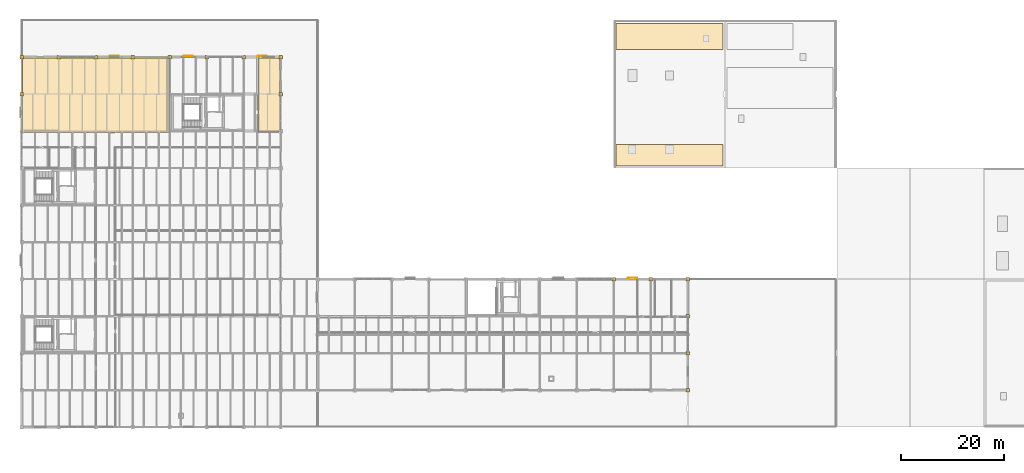
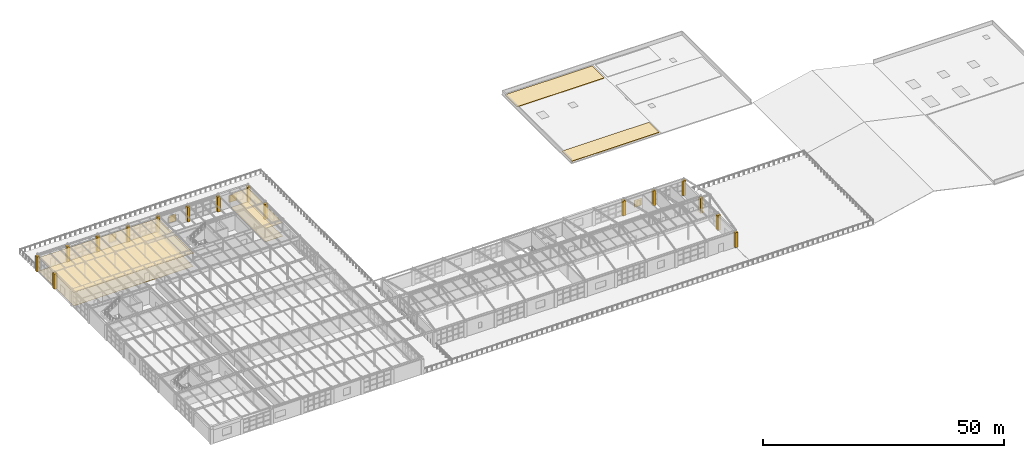
# One storey, part 100 of 101: 22 coverings, 4 shading devices.
"""IFC4 building model written with IfcOpenShell, lengths in metres."""

from ifc_helpers import new_model, si_unit, direction, frame, origin, origin_2d, place, context, subcontext, project, spatial, polyline, rectangle, outline, extrude, material, layer, layer_set, type_object, element, save


model = new_model("IFC4")

# Units and contexts
model_context = context("Model", 3, precision=1e-05, world=origin(), true_north=direction((0.0, 1.0)))
body_context = subcontext(model_context, "Body", "Model", "MODEL_VIEW")
ifc_project = project(units=[si_unit("LENGTHUNIT", "METRE"), si_unit("AREAUNIT", "SQUARE_METRE"), si_unit("VOLUMEUNIT", "CUBIC_METRE"), si_unit("PLANEANGLEUNIT", "RADIAN"), si_unit("MASSUNIT", "GRAM", prefix="KILO")], contexts=[model_context])

# Site, building, storey
site_placement = place(None, origin())
site = spatial("IfcSite", under=ifc_project, at=site_placement, CompositionType="ELEMENT")
building_placement = place(site_placement, origin())
building = spatial("IfcBuilding", under=site, at=building_placement, Name="Kemerveld Promenade Tramway Depot", CompositionType="ELEMENT")
storey_placement = place(building_placement, frame((0.0, 0.0, 9.89990234375)))
storey = spatial("IfcBuildingStorey", under=building, at=storey_placement, Name="L02", CompositionType="ELEMENT", Elevation=9.89990234375)

# Coverings
ifc_material_1 = material(Name="Perforated mineral-fibre acoustic ceiling")
ifc_layer_1 = layer(ifc_material_1, 0.02490234375)
ifc_layer_set_1 = layer_set([ifc_layer_1], Name="COV-CEIL-AC")
covering_type_1 = type_object("IfcCoveringType", Name="COV-CEIL-AC", PredefinedType="CEILING", material=ifc_layer_set_1)
covering_1_placement = place(storey_placement, frame((0.0, 0.0, 3.35498046875)))
element("IfcCovering", 1, at=covering_1_placement, inside=storey, type_object=covering_type_1, Name="CEIL-RM-L02-V5-INST", PredefinedType="CEILING", context=body_context, shape_type="SweptSolid", body=[
    extrude(outline(polyline([(0.14990234375, 57.25), (28.75, 57.25), (28.75, 71.85009765625), (0.14990234375, 71.85009765625), (0.14990234375, 57.25)])), origin(), (0.0, 0.0, 1.0), 0.025146484375),
])
covering_2_placement = place(storey_placement, frame((0.0, 0.0, 3.35498046875)))
element("IfcCovering", 2, at=covering_2_placement, inside=storey, type_object=covering_type_1, Name="CEIL-RM-L02-V5-EXAM", PredefinedType="CEILING", context=body_context, shape_type="SweptSolid", body=[
    extrude(outline(polyline([(46.08740234375, 57.44189453125), (50.25, 57.44189453125), (50.25, 71.840087890625), (46.08740234375, 71.840087890625), (46.08740234375, 57.44189453125)])), origin(), (0.0, 0.0, 1.0), 0.025146484375),
])
ifc_material_2 = material(Name="Dressed Harare granite ashlar cladding", Category="masonry")
ifc_layer_2 = layer(ifc_material_2, 0.050048828125)
ifc_layer_set_2 = layer_set([ifc_layer_2], Name="COV-CLAD-GRAN")
covering_type_2 = type_object("IfcCoveringType", Name="COV-CLAD-GRAN", PredefinedType="CLADDING", material=ifc_layer_set_2)
covering_3_placement = place(storey_placement, origin())
element("IfcCovering", 3, at=covering_3_placement, inside=storey, type_object=covering_type_2, Name="CLAD-PIER-L02-302", PredefinedType="CLADDING", context=body_context, shape_type="SweptSolid", body=[
    extrude(outline(polyline([(-0.340087890625, 64.4599609375), (0.340087890625, 64.4599609375), (0.340087890625, 65.139892578125), (-0.340087890625, 65.139892578125), (-0.340087890625, 64.4599609375)])), origin(), (0.0, 0.0, 1.0), 3.800048828125),
])
covering_4_placement = place(storey_placement, origin())
element("IfcCovering", 4, at=covering_4_placement, inside=storey, type_object=covering_type_2, Name="CLAD-PIER-L02-303", PredefinedType="CLADDING", context=body_context, shape_type="SweptSolid", body=[
    extrude(outline(polyline([(-0.340087890625, 71.659912109375), (0.340087890625, 71.659912109375), (0.340087890625, 72.340087890625), (-0.340087890625, 72.340087890625), (-0.340087890625, 71.659912109375)])), origin(), (0.0, 0.0, 1.0), 3.800048828125),
])
covering_5_placement = place(storey_placement, origin())
element("IfcCovering", 5, at=covering_5_placement, inside=storey, type_object=covering_type_2, Name="CLAD-PIER-L02-304", PredefinedType="CLADDING", context=body_context, shape_type="SweptSolid", body=[
    extrude(outline(polyline([(6.860107421875, 71.659912109375), (7.5400390625, 71.659912109375), (7.5400390625, 72.340087890625), (6.860107421875, 72.340087890625), (6.860107421875, 71.659912109375)])), origin(), (0.0, 0.0, 1.0), 3.800048828125),
])
covering_6_placement = place(storey_placement, origin())
element("IfcCovering", 6, at=covering_6_placement, inside=storey, type_object=covering_type_2, Name="CLAD-PIER-L02-305", PredefinedType="CLADDING", context=body_context, shape_type="SweptSolid", body=[
    extrude(outline(polyline([(14.06005859375, 71.659912109375), (14.739990234375, 71.659912109375), (14.739990234375, 72.340087890625), (14.06005859375, 72.340087890625), (14.06005859375, 71.659912109375)])), origin(), (0.0, 0.0, 1.0), 3.800048828125),
])
covering_7_placement = place(storey_placement, origin())
element("IfcCovering", 7, at=covering_7_placement, inside=storey, type_object=covering_type_2, Name="CLAD-PIER-L02-306", PredefinedType="CLADDING", context=body_context, shape_type="SweptSolid", body=[
    extrude(outline(polyline([(21.260009765625, 71.659912109375), (21.93994140625, 71.659912109375), (21.93994140625, 72.340087890625), (21.260009765625, 72.340087890625), (21.260009765625, 71.659912109375)])), origin(), (0.0, 0.0, 1.0), 3.800048828125),
])
covering_8_placement = place(storey_placement, origin())
element("IfcCovering", 8, at=covering_8_placement, inside=storey, type_object=covering_type_2, Name="CLAD-PIER-L02-307", PredefinedType="CLADDING", context=body_context, shape_type="SweptSolid", body=[
    extrude(outline(polyline([(28.4599609375, 71.659912109375), (29.139892578125, 71.659912109375), (29.139892578125, 72.340087890625), (28.4599609375, 72.340087890625), (28.4599609375, 71.659912109375)])), origin(), (0.0, 0.0, 1.0), 3.800048828125),
])
covering_9_placement = place(storey_placement, origin())
element("IfcCovering", 9, at=covering_9_placement, inside=storey, type_object=covering_type_2, Name="CLAD-PIER-L02-308", PredefinedType="CLADDING", context=body_context, shape_type="SweptSolid", body=[
    extrude(outline(polyline([(35.659912109375, 71.659912109375), (36.340087890625, 71.659912109375), (36.340087890625, 72.340087890625), (35.659912109375, 72.340087890625), (35.659912109375, 71.659912109375)])), origin(), (0.0, 0.0, 1.0), 3.800048828125),
])
covering_10_placement = place(storey_placement, origin())
element("IfcCovering", 10, at=covering_10_placement, inside=storey, type_object=covering_type_2, Name="CLAD-PIER-L02-309", PredefinedType="CLADDING", context=body_context, shape_type="SweptSolid", body=[
    extrude(outline(polyline([(42.860107421875, 71.659912109375), (43.5400390625, 71.659912109375), (43.5400390625, 72.340087890625), (42.860107421875, 72.340087890625), (42.860107421875, 71.659912109375)])), origin(), (0.0, 0.0, 1.0), 3.800048828125),
])
covering_11_placement = place(storey_placement, origin())
element("IfcCovering", 11, at=covering_11_placement, inside=storey, type_object=covering_type_2, Name="CLAD-PIER-L02-310", PredefinedType="CLADDING", context=body_context, shape_type="SweptSolid", body=[
    extrude(outline(polyline([(50.06005859375, 71.659912109375), (50.739990234375, 71.659912109375), (50.739990234375, 72.340087890625), (50.06005859375, 72.340087890625), (50.06005859375, 71.659912109375)])), origin(), (0.0, 0.0, 1.0), 3.800048828125),
])
covering_12_placement = place(storey_placement, origin())
element("IfcCovering", 12, at=covering_12_placement, inside=storey, type_object=covering_type_2, Name="CLAD-PIER-L02-311", PredefinedType="CLADDING", context=body_context, shape_type="SweptSolid", body=[
    extrude(outline(polyline([(50.06005859375, 64.4599609375), (50.739990234375, 64.4599609375), (50.739990234375, 65.139892578125), (50.06005859375, 65.139892578125), (50.06005859375, 64.4599609375)])), origin(), (0.0, 0.0, 1.0), 3.800048828125),
])
covering_13_placement = place(storey_placement, origin())
element("IfcCovering", 13, at=covering_13_placement, inside=storey, type_object=covering_type_2, Name="CLAD-PIER-L02-327", PredefinedType="CLADDING", context=body_context, shape_type="SweptSolid", body=[
    extrude(outline(polyline([(129.260009765625, 6.860107421875), (129.93994140625, 6.860107421875), (129.93994140625, 7.5400390625), (129.260009765625, 7.5400390625), (129.260009765625, 6.860107421875)])), origin(), (0.0, 0.0, 1.0), 3.800048828125),
])
covering_14_placement = place(storey_placement, origin())
element("IfcCovering", 14, at=covering_14_placement, inside=storey, type_object=covering_type_2, Name="CLAD-PIER-L02-345", PredefinedType="CLADDING", context=body_context, shape_type="SweptSolid", body=[
    extrude(outline(polyline([(114.860107421875, 28.4599609375), (115.5400390625, 28.4599609375), (115.5400390625, 29.139892578125), (114.860107421875, 29.139892578125), (114.860107421875, 28.4599609375)])), origin(), (0.0, 0.0, 1.0), 3.800048828125),
])
covering_15_placement = place(storey_placement, origin())
element("IfcCovering", 15, at=covering_15_placement, inside=storey, type_object=covering_type_2, Name="CLAD-PIER-L02-346", PredefinedType="CLADDING", context=body_context, shape_type="SweptSolid", body=[
    extrude(outline(polyline([(122.06005859375, 28.4599609375), (122.739990234375, 28.4599609375), (122.739990234375, 29.139892578125), (122.06005859375, 29.139892578125), (122.06005859375, 28.4599609375)])), origin(), (0.0, 0.0, 1.0), 3.800048828125),
])
covering_16_placement = place(storey_placement, origin())
element("IfcCovering", 16, at=covering_16_placement, inside=storey, type_object=covering_type_2, Name="CLAD-PIER-L02-347", PredefinedType="CLADDING", context=body_context, shape_type="SweptSolid", body=[
    extrude(outline(polyline([(129.260009765625, 28.4599609375), (129.93994140625, 28.4599609375), (129.93994140625, 29.139892578125), (129.260009765625, 29.139892578125), (129.260009765625, 28.4599609375)])), origin(), (0.0, 0.0, 1.0), 3.800048828125),
])
covering_17_placement = place(storey_placement, origin())
element("IfcCovering", 17, at=covering_17_placement, inside=storey, type_object=covering_type_2, Name="CLAD-PIER-L02-348", PredefinedType="CLADDING", context=body_context, shape_type="SweptSolid", body=[
    extrude(outline(polyline([(129.260009765625, 21.260009765625), (129.93994140625, 21.260009765625), (129.93994140625, 21.93994140625), (129.260009765625, 21.93994140625), (129.260009765625, 21.260009765625)])), origin(), (0.0, 0.0, 1.0), 3.800048828125),
])
covering_18_placement = place(storey_placement, origin())
element("IfcCovering", 18, at=covering_18_placement, inside=storey, type_object=covering_type_2, Name="CLAD-PIER-L02-349", PredefinedType="CLADDING", context=body_context, shape_type="SweptSolid", body=[
    extrude(outline(polyline([(129.260009765625, 14.06005859375), (129.93994140625, 14.06005859375), (129.93994140625, 14.739990234375), (129.260009765625, 14.739990234375), (129.260009765625, 14.06005859375)])), origin(), (0.0, 0.0, 1.0), 3.800048828125),
])
ifc_material_3 = material(Name="Honed Harare granite terrazzo flooring", Category="masonry")
ifc_layer_3 = layer(ifc_material_3, 0.02001953125)
ifc_layer_set_3 = layer_set([ifc_layer_3], Name="COV-FLR-TERR")
covering_type_3 = type_object("IfcCoveringType", Name="COV-FLR-TERR", PredefinedType="FLOORING", material=ifc_layer_set_3)
covering_19_placement = place(storey_placement, origin())
element("IfcCovering", 19, at=covering_19_placement, inside=storey, type_object=covering_type_3, Name="FLR-RM-L02-V5-INST", PredefinedType="FLOORING", context=body_context, shape_type="SweptSolid", body=[
    extrude(outline(polyline([(0.14990234375, 57.25), (28.75, 57.25), (28.75, 71.85009765625), (0.14990234375, 71.85009765625), (0.14990234375, 57.25)])), origin(), (0.0, 0.0, 1.0), 0.02001953125),
])
covering_20_placement = place(storey_placement, origin())
element("IfcCovering", 20, at=covering_20_placement, inside=storey, type_object=covering_type_3, Name="FLR-RM-L02-V5-EXAM", PredefinedType="FLOORING", context=body_context, shape_type="SweptSolid", body=[
    extrude(outline(polyline([(46.08740234375, 57.44189453125), (50.25, 57.44189453125), (50.25, 71.840087890625), (46.08740234375, 71.840087890625), (46.08740234375, 57.44189453125)])), origin(), (0.0, 0.0, 1.0), 0.02001953125),
])
ifc_material_4 = material(Name="Planted highland substrate and drainage layer")
ifc_layer_4 = layer(ifc_material_4, 0.1201171875)
ifc_layer_set_4 = layer_set([ifc_layer_4], Name="COV-ROOF-GREEN")
covering_type_4 = type_object("IfcCoveringType", Name="COV-ROOF-GREEN", PredefinedType="ROOFING", material=ifc_layer_set_4)
covering_21_placement = place(storey_placement, origin())
element("IfcCovering", 21, at=covering_21_placement, inside=storey, type_object=covering_type_4, Name="COV-GR-V3A", PredefinedType="ROOFING", context=body_context, shape_type="SweptSolid", body=[
    extrude(outline(polyline([(115.60009765625, 50.800048828125), (136.39990234375, 50.800048828125), (136.39990234375, 55.0), (115.60009765625, 55.0), (115.60009765625, 50.800048828125)])), origin(), (0.0, 0.0, 1.0), 0.1201171875),
])
covering_22_placement = place(storey_placement, origin())
element("IfcCovering", 22, at=covering_22_placement, inside=storey, type_object=covering_type_4, Name="COV-GR-V3D", PredefinedType="ROOFING", context=body_context, shape_type="SweptSolid", body=[
    extrude(outline(polyline([(115.60009765625, 73.5), (136.39990234375, 73.5), (136.39990234375, 78.5), (115.60009765625, 78.5), (115.60009765625, 73.5)])), origin(), (0.0, 0.0, 1.0), 0.1201171875),
])

# Shading devices
ifc_material_5 = material(Name="Perforated bronze-aluminium sun screen", Category="aluminium")
ifc_layer_5 = layer(ifc_material_5, 0.080078125)
ifc_layer_set_5 = layer_set([ifc_layer_5], Name="SHD-SCREEN")
shading_device_type = type_object("IfcShadingDeviceType", Name="SHD-SCREEN", PredefinedType="SHUTTER", material=ifc_layer_set_5)
for number, where, z_axis, x_axis, name in (
    (23, (18.0, 72.199951171875, 1.05029296875), (0.0, 0.0, 1.0), (1.0, 0.0, 0.0), "SHD-L02-022"),
    (24, (32.39990234375, 72.199951171875, 0.92529296875), (0.0, 0.0, 1.0), (1.0, 0.0, 0.0), "SHD-L02-023"),
    (25, (46.800048828125, 72.199951171875, 1.05029296875), (0.0, 0.0, 1.0), (1.0, 0.0, 0.0), "SHD-L02-024"),
    (26, (118.800048828125, 29.0, 0.85009765625), (0.0, 0.0, 1.0), (1.0, 0.0, 0.0), "SHD-L02-027"),
):
    element("IfcShadingDevice", number, at=place(storey_placement, frame(where, z_axis=z_axis, x_axis=x_axis)), inside=storey, type_object=shading_device_type, Name=name, PredefinedType="SHUTTER", context=body_context, shape_type="SweptSolid", body=[
        extrude(rectangle(XDim=1.800048828125, YDim=0.080078125, at=origin_2d()), origin(), (0.0, 0.0, 1.0), 1.800048828125),
    ])

save(model, "model.ifc")
